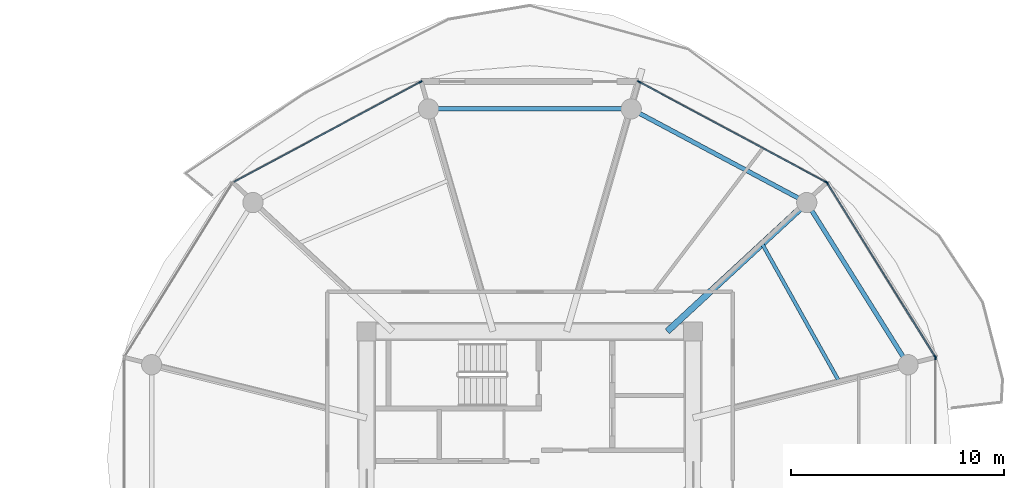
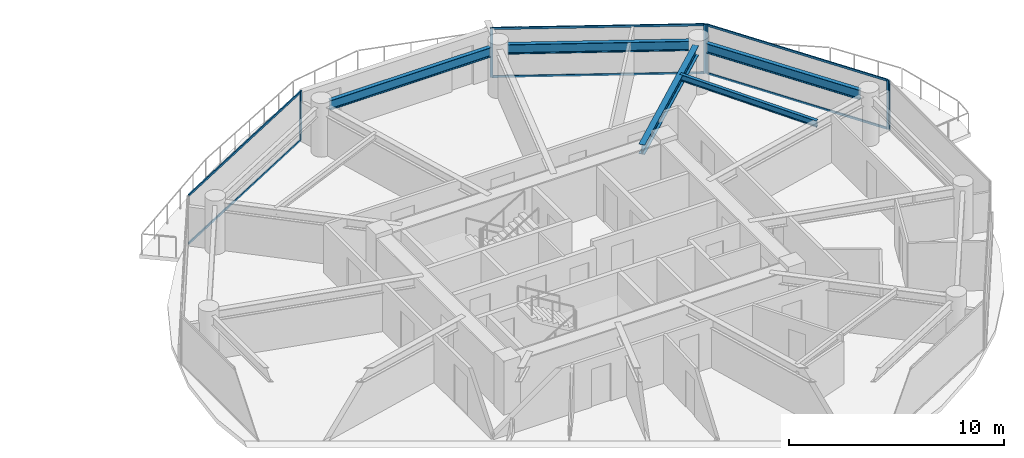
# One storey, part 13 of 26: 12 members, 5 beams, 4 elements without a shape of their own.
"""IFC4 building model written with IfcOpenShell, lengths in metres."""

from ifc_helpers import new_model, si_unit, direction, frame, origin, origin_2d, place, context, subcontext, project, spatial, rectangle, i_section, extrude, source, transform, mapped, material, layer, layer_set, material_profile, profile_set, type_object, type_shapes, element, aggregate, save


model = new_model("IFC4")

# Units and contexts
model_context = context("Model", 3, precision=1e-05, world=origin(), true_north=direction((0.0, 1.0)))
body_context = subcontext(model_context, "Body", "Model", "MODEL_VIEW")
ifc_project = project(units=[si_unit("LENGTHUNIT", "METRE"), si_unit("AREAUNIT", "SQUARE_METRE"), si_unit("VOLUMEUNIT", "CUBIC_METRE"), si_unit("PLANEANGLEUNIT", "RADIAN"), si_unit("MASSUNIT", "GRAM", prefix="KILO")], contexts=[model_context])

# Site, building, storey
site_placement = place(None, origin())
site = spatial("IfcSite", under=ifc_project, at=site_placement, CompositionType="ELEMENT")
building_placement = place(site_placement, origin())
building = spatial("IfcBuilding", under=site, at=building_placement, Name="Norrkilde Senior Care Towers", CompositionType="ELEMENT")
storey_placement = place(building_placement, frame((0.0, 0.0, 55.14990234375)))
storey = spatial("IfcBuildingStorey", under=building, at=storey_placement, Name="L16", CompositionType="ELEMENT", Elevation=55.14990234375)

# Beams
ifc_material_1 = material(Name="Steel S355", Category="steel")
ifc_material_profile_1 = material_profile(ifc_material_1, i_section(OverallWidth=0.2099609375, OverallDepth=0.550048828125, WebThickness=0.010986328125, FlangeThickness=0.01708984375, FilletRadius=0.02392578125, at=origin_2d()), Name="IPE 550")
ifc_profile_set_1 = profile_set([ifc_material_profile_1], Name="Steel S355")
beam_type_1 = type_object("IfcBeamType", Name="Perimeter Ring Spandrel Z1 IPE550", PredefinedType="SPANDREL", material=ifc_profile_set_1)
shared_shape_1 = source(origin(), body_context, "Body", "SweptSolid", [
    extrude(i_section(OverallWidth=0.2099609375, OverallDepth=0.550048828125, WebThickness=0.010986328125, FlangeThickness=0.01708984375, FilletRadius=0.02392578125, at=origin_2d()), origin(), (0.0, 0.0, 1.0), 8.090576171875),
])
beam_1_placement = place(storey_placement, frame((45.494140625, 4.755859375, 2.51513671875), z_axis=(-0.530004364821, 0.84799491347, 0.0), x_axis=(-0.84799491347, -0.530004364821, 0.0)))
element("IfcBeam", 1, at=beam_1_placement, inside=storey, type_object=beam_type_1, Name="L16 Drum E Perimeter Spandrel 01", PredefinedType="SPANDREL", context=body_context, shape_type="MappedRepresentation", body=[
    mapped(shared_shape_1, transform((0.0, 0.0, 0.0), x_axis=(1.0, 0.0, 0.0), y_axis=(0.0, 1.0, 0.0), z_axis=(0.0, 0.0, 1.0), scale=1.0)),
])
shared_shape_2 = source(origin(), body_context, "Body", "SweptSolid", [
    extrude(i_section(OverallWidth=0.2099609375, OverallDepth=0.550048828125, WebThickness=0.010986328125, FlangeThickness=0.01708984375, FilletRadius=0.02392578125, at=origin_2d()), origin(), (0.0, 0.0, 1.0), 8.452880859375),
])
beam_2_placement = place(storey_placement, frame((40.591552734375, 12.190185546875, 2.51513671875), z_axis=(-0.882368931134, 0.470558252898, 0.0), x_axis=(-0.470558252898, -0.882368931134, 0.0)))
element("IfcBeam", 2, at=beam_2_placement, inside=storey, type_object=beam_type_1, Name="L16 Drum E Perimeter Spandrel 02", PredefinedType="SPANDREL", context=body_context, shape_type="MappedRepresentation", body=[
    mapped(shared_shape_2, transform((0.0, 0.0, 0.0), x_axis=(1.0, 0.0, 0.0), y_axis=(0.0, 1.0, 0.0), z_axis=(0.0, 0.0, 1.0), scale=1.0)),
])
ifc_material_profile_2 = material_profile(ifc_material_1, i_section(OverallWidth=0.300048828125, OverallDepth=0.550048828125, WebThickness=0.014892578125, FlangeThickness=0.029052734375, FilletRadius=0.027099609375, at=origin_2d()), Name="HEB 550")
ifc_profile_set_2 = profile_set([ifc_material_profile_2], Name="Steel S355")
beam_type_2 = type_object("IfcBeamType", Name="Radial Floor Beam Z1 HEB550", PredefinedType="BEAM", material=ifc_profile_set_2)
shared_shape_3 = source(origin(), body_context, "Body", "SweptSolid", [
    extrude(i_section(OverallWidth=0.300048828125, OverallDepth=0.550048828125, WebThickness=0.014892578125, FlangeThickness=0.029052734375, FilletRadius=0.027099609375, at=origin_2d()), origin(), (0.0, 0.0, 1.0), 8.459716796875),
])
type_shapes(beam_type_2, [shared_shape_3])
beam_3_placement = place(storey_placement, frame((34.44140625, 5.949951171875, 2.51513671875), z_axis=(0.734573269108, 0.678529374686, 0.0), x_axis=(-0.678529374686, 0.734573269108, 0.0)))
element("IfcBeam", 3, at=beam_3_placement, inside=storey, type_object=beam_type_2, Name="L16 Drum E Radial Floor Beam 02", PredefinedType="BEAM", context=body_context, shape_type="MappedRepresentation", body=[
    mapped(shared_shape_3, transform((0.0, 0.0, 0.0), x_axis=(1.0, 0.0, 0.0), y_axis=(0.0, 1.0, 0.0), z_axis=(0.0, 0.0, 1.0), scale=1.0)),
])
shared_shape_4 = source(origin(), body_context, "Body", "SweptSolid", [
    extrude(i_section(OverallWidth=0.2099609375, OverallDepth=0.550048828125, WebThickness=0.010986328125, FlangeThickness=0.01708984375, FilletRadius=0.02392578125, at=origin_2d()), origin(), (0.0, 0.0, 1.0), 8.62841796875),
])
type_shapes(beam_type_1, [shared_shape_1, shared_shape_2, shared_shape_4])
beam_4_placement = place(storey_placement, frame((32.314208984375, 16.37255859375, 2.51513671875), z_axis=(-1.0, 0.0, 0.0), x_axis=(0.0, -1.0, 0.0)))
element("IfcBeam", 4, at=beam_4_placement, inside=storey, type_object=beam_type_1, Name="L16 Drum E Perimeter Spandrel 03", PredefinedType="SPANDREL", context=body_context, shape_type="MappedRepresentation", body=[
    mapped(shared_shape_4, transform((0.0, 0.0, 0.0), x_axis=(1.0, 0.0, 0.0), y_axis=(0.0, 1.0, 0.0), z_axis=(0.0, 0.0, 1.0), scale=1.0)),
])
ifc_material_profile_3 = material_profile(ifc_material_1, i_section(OverallWidth=0.169921875, OverallDepth=0.360107421875, WebThickness=0.008056640625, FlangeThickness=0.0126953125, FilletRadius=0.01806640625, at=origin_2d()), Name="IPE 360")
ifc_profile_set_3 = profile_set([ifc_material_profile_3], Name="Steel S355")
beam_type_3 = type_object("IfcBeamType", Name="Secondary Floor Joist IPE360", PredefinedType="JOIST", material=ifc_profile_set_3)
shared_shape_5 = source(origin(), body_context, "Body", "SweptSolid", [
    extrude(i_section(OverallWidth=0.169921875, OverallDepth=0.360107421875, WebThickness=0.008056640625, FlangeThickness=0.0126953125, FilletRadius=0.01806640625, at=origin_2d()), origin(), (0.0, 0.0, 1.0), 7.40771484375),
])
type_shapes(beam_type_3, [shared_shape_5])
beam_5_placement = place(storey_placement, frame((42.500732421875, 3.589111328125, 2.610107421875), z_axis=(-0.488167754092, 0.872749817453, 0.0), x_axis=(-0.872749817453, -0.488167754092, 0.0)))
element("IfcBeam", 5, at=beam_5_placement, inside=storey, type_object=beam_type_3, Name="L16 Drum E Secondary Floor Joist 1", PredefinedType="JOIST", context=body_context, shape_type="MappedRepresentation", body=[
    mapped(shared_shape_5, transform((0.0, 0.0, 0.0), x_axis=(1.0, 0.0, 0.0), y_axis=(0.0, 1.0, 0.0), z_axis=(0.0, 0.0, 1.0), scale=1.0)),
])

# Curtain wall, members
ifc_material_2 = material(Name="Triple Low-E Insulated Glazing", Category="glass")
ifc_layer = layer(ifc_material_2, 0.199951171875)
ifc_layer_set = layer_set([ifc_layer], Name="Triple Low-E Insulated Glazing")
curtain_wall_type = type_object("IfcCurtainWallType", Name="CW2 Zone 1 Memory Care Curtain Wall", PredefinedType="NOTDEFINED", material=ifc_layer_set)
curtain_wall_1_placement = place(storey_placement, origin())
curtain_wall_1 = element("IfcCurtainWall", 6, at=curtain_wall_1_placement, inside=storey, type_object=curtain_wall_type, Name="L16 Drum E Curtain Wall 00", PredefinedType="NOTDEFINED")
ifc_material_3 = material(Name="Anodised Aluminium", Category="aluminium")
ifc_material_profile_4 = material_profile(ifc_material_3, rectangle(XDim=0.06494140625, YDim=0.159912109375, at=origin_2d()), Name="ALU MULL 65x160")
ifc_profile_set_4 = profile_set([ifc_material_profile_4], Name="Anodised Aluminium")
member_type_1 = type_object("IfcMemberType", Name="Curtain Wall Mullion Z1-Z2 65x160", PredefinedType="MULLION", material=ifc_profile_set_4)
shared_shape_6 = source(origin(), body_context, "Body", "SweptSolid", [
    extrude(rectangle(XDim=0.06494140625, YDim=0.159912109375, at=origin_2d()), origin(), (0.0, 0.0, 1.0), 2.7900390625),
])
type_shapes(member_type_1, [shared_shape_6])
member_1_placement = place(storey_placement, frame((41.93310546875, 12.898193359375, 0.0), z_axis=(0.0, 0.0, 1.0), x_axis=(0.849305943117, 0.527900951871, 0.0)))
member_1 = element("IfcMember", 7, at=member_1_placement, type_object=member_type_1, Name="CW-2 mullion 1", PredefinedType="MULLION", context=body_context, shape_type="MappedRepresentation", body=[
    mapped(shared_shape_6, transform((0.0, 0.0, 0.0), x_axis=(1.0, 0.0, 0.0), y_axis=(0.0, 1.0, 0.0), z_axis=(0.0, 0.0, 1.0), scale=1.0)),
])
member_2_placement = place(storey_placement, frame((46.9921875, 4.7587890625, 0.0), z_axis=(0.0, 0.0, 1.0), x_axis=(0.849305943117, 0.527900951871, 0.0)))
member_2 = element("IfcMember", 8, at=member_2_placement, type_object=member_type_1, Name="CW-2 mullion 2", PredefinedType="MULLION", context=body_context, shape_type="MappedRepresentation", body=[
    mapped(shared_shape_6, transform((0.0, 0.0, 0.0), x_axis=(1.0, 0.0, 0.0), y_axis=(0.0, 1.0, 0.0), z_axis=(0.0, 0.0, 1.0), scale=1.0)),
])

curtain_wall_2_placement = place(storey_placement, origin())
curtain_wall_2 = element("IfcCurtainWall", 9, at=curtain_wall_2_placement, inside=storey, type_object=curtain_wall_type, Name="L16 Drum E Curtain Wall 01", PredefinedType="NOTDEFINED")
member_3_placement = place(storey_placement, frame((33.122314453125, 17.641845703125, 0.0), z_axis=(0.0, 0.0, 1.0), x_axis=(0.472607802456, 0.881272866403, 0.0)))
member_3 = element("IfcMember", 10, at=member_3_placement, type_object=member_type_1, Name="CW-2 mullion 1", PredefinedType="MULLION", context=body_context, shape_type="MappedRepresentation", body=[
    mapped(shared_shape_6, transform((0.0, 0.0, 0.0), x_axis=(1.0, 0.0, 0.0), y_axis=(0.0, 1.0, 0.0), z_axis=(0.0, 0.0, 1.0), scale=1.0)),
])
member_4_placement = place(storey_placement, frame((41.88720703125, 12.941162109375, 0.0), z_axis=(0.0, 0.0, 1.0), x_axis=(0.472607802456, 0.881272866403, 0.0)))
member_4 = element("IfcMember", 11, at=member_4_placement, type_object=member_type_1, Name="CW-2 mullion 2", PredefinedType="MULLION", context=body_context, shape_type="MappedRepresentation", body=[
    mapped(shared_shape_6, transform((0.0, 0.0, 0.0), x_axis=(1.0, 0.0, 0.0), y_axis=(0.0, 1.0, 0.0), z_axis=(0.0, 0.0, 1.0), scale=1.0)),
])

# Curtain wall, member
curtain_wall_3_placement = place(storey_placement, origin())
curtain_wall_3 = element("IfcCurtainWall", 12, at=curtain_wall_3_placement, inside=storey, type_object=curtain_wall_type, Name="L16 Drum E Curtain Wall 03", PredefinedType="NOTDEFINED")
member_5_placement = place(storey_placement, frame((22.877685546875, 17.641845703125, 0.0), z_axis=(0.0, 0.0, 1.0), x_axis=(-0.472607802456, 0.881272866403, 0.0)))
member_5 = element("IfcMember", 13, at=member_5_placement, type_object=member_type_1, Name="CW-2 mullion 2", PredefinedType="MULLION", context=body_context, shape_type="MappedRepresentation", body=[
    mapped(shared_shape_6, transform((0.0, 0.0, 0.0), x_axis=(1.0, 0.0, 0.0), y_axis=(0.0, 1.0, 0.0), z_axis=(0.0, 0.0, 1.0), scale=1.0)),
])

curtain_wall_4_placement = place(storey_placement, origin())
curtain_wall_4 = element("IfcCurtainWall", 14, at=curtain_wall_4_placement, inside=storey, type_object=curtain_wall_type, Name="L16 Drum E Curtain Wall 11", PredefinedType="NOTDEFINED")
member_6_placement = place(storey_placement, frame((47.009521484375, 4.69873046875, 0.0), z_axis=(0.0, 0.0, 1.0), x_axis=(1.0, 0.0, 0.0)))
member_6 = element("IfcMember", 15, at=member_6_placement, type_object=member_type_1, Name="CW-2 mullion 1", PredefinedType="MULLION", context=body_context, shape_type="MappedRepresentation", body=[
    mapped(shared_shape_6, transform((0.0, 0.0, 0.0), x_axis=(1.0, 0.0, 0.0), y_axis=(0.0, 1.0, 0.0), z_axis=(0.0, 0.0, 1.0), scale=1.0)),
])
aggregate(curtain_wall_4, [member_6])

# Member
ifc_material_profile_5 = material_profile(ifc_material_3, rectangle(XDim=0.06005859375, YDim=0.1201171875, at=origin_2d()), Name="ALU TRAN 60x120")
ifc_profile_set_5 = profile_set([ifc_material_profile_5], Name="Anodised Aluminium")
member_type_2 = type_object("IfcMemberType", Name="Curtain Wall Transom Typical 60x120", PredefinedType="USERDEFINED", material=ifc_profile_set_5)
shared_shape_7 = source(origin(), body_context, "Body", "SweptSolid", [
    extrude(rectangle(XDim=0.06005859375, YDim=0.1201171875, at=origin_2d()), origin(), (0.0, 0.0, 1.0), 9.5185546875),
])
member_7_placement = place(storey_placement, frame((41.9501953125, 12.87060546875, 0.030029296875), z_axis=(0.527901620669, -0.849305527413, 0.0), x_axis=(0.849305527413, 0.527901620669, 0.0)))
member_7 = element("IfcMember", 16, at=member_7_placement, type_object=member_type_2, Name="CW-2 transom 1.1", ObjectType="TRANSOM", PredefinedType="USERDEFINED", context=body_context, shape_type="MappedRepresentation", body=[
    mapped(shared_shape_7, transform((0.0, 0.0, 0.0), x_axis=(1.0, 0.0, 0.0), y_axis=(0.0, 1.0, 0.0), z_axis=(0.0, 0.0, 1.0), scale=1.0)),
])

member_8_placement = place(storey_placement, frame((41.9501953125, 12.87060546875, 2.760009765625), z_axis=(0.527901620669, -0.849305527413, 0.0), x_axis=(0.849305527413, 0.527901620669, 0.0)))
member_8 = element("IfcMember", 17, at=member_8_placement, type_object=member_type_2, Name="CW-2 transom 1.2", ObjectType="TRANSOM", PredefinedType="USERDEFINED", context=body_context, shape_type="MappedRepresentation", body=[
    mapped(shared_shape_7, transform((0.0, 0.0, 0.0), x_axis=(1.0, 0.0, 0.0), y_axis=(0.0, 1.0, 0.0), z_axis=(0.0, 0.0, 1.0), scale=1.0)),
])

aggregate(curtain_wall_1, [member_1, member_2, member_7, member_8])

shared_shape_8 = source(origin(), body_context, "Body", "SweptSolid", [
    extrude(rectangle(XDim=0.06005859375, YDim=0.1201171875, at=origin_2d()), origin(), (0.0, 0.0, 1.0), 9.880859375),
])
type_shapes(member_type_2, [shared_shape_7, shared_shape_8])
member_9_placement = place(storey_placement, frame((33.15087890625, 17.62646484375, 0.030029296875), z_axis=(0.881267204043, -0.47261836092, 0.0), x_axis=(0.47261836092, 0.881267204043, 0.0)))
member_9 = element("IfcMember", 18, at=member_9_placement, type_object=member_type_2, Name="CW-2 transom 1.1", ObjectType="TRANSOM", PredefinedType="USERDEFINED", context=body_context, shape_type="MappedRepresentation", body=[
    mapped(shared_shape_8, transform((0.0, 0.0, 0.0), x_axis=(1.0, 0.0, 0.0), y_axis=(0.0, 1.0, 0.0), z_axis=(0.0, 0.0, 1.0), scale=1.0)),
])

member_10_placement = place(storey_placement, frame((33.15087890625, 17.62646484375, 2.760009765625), z_axis=(0.881267204043, -0.47261836092, 0.0), x_axis=(0.47261836092, 0.881267204043, 0.0)))
member_10 = element("IfcMember", 19, at=member_10_placement, type_object=member_type_2, Name="CW-2 transom 1.2", ObjectType="TRANSOM", PredefinedType="USERDEFINED", context=body_context, shape_type="MappedRepresentation", body=[
    mapped(shared_shape_8, transform((0.0, 0.0, 0.0), x_axis=(1.0, 0.0, 0.0), y_axis=(0.0, 1.0, 0.0), z_axis=(0.0, 0.0, 1.0), scale=1.0)),
])

aggregate(curtain_wall_2, [member_3, member_4, member_9, member_10])

member_11_placement = place(storey_placement, frame((14.141357421875, 12.95654296875, 0.030029296875), z_axis=(0.881267204043, 0.47261836092, 0.0), x_axis=(-0.47261836092, 0.881267204043, 0.0)))
member_11 = element("IfcMember", 20, at=member_11_placement, type_object=member_type_2, Name="CW-2 transom 1.1", ObjectType="TRANSOM", PredefinedType="USERDEFINED", context=body_context, shape_type="MappedRepresentation", body=[
    mapped(shared_shape_8, transform((0.0, 0.0, 0.0), x_axis=(1.0, 0.0, 0.0), y_axis=(0.0, 1.0, 0.0), z_axis=(0.0, 0.0, 1.0), scale=1.0)),
])

member_12_placement = place(storey_placement, frame((14.141357421875, 12.95654296875, 2.760009765625), z_axis=(0.881267204043, 0.47261836092, 0.0), x_axis=(-0.47261836092, 0.881267204043, 0.0)))
member_12 = element("IfcMember", 21, at=member_12_placement, type_object=member_type_2, Name="CW-2 transom 1.2", ObjectType="TRANSOM", PredefinedType="USERDEFINED", context=body_context, shape_type="MappedRepresentation", body=[
    mapped(shared_shape_8, transform((0.0, 0.0, 0.0), x_axis=(1.0, 0.0, 0.0), y_axis=(0.0, 1.0, 0.0), z_axis=(0.0, 0.0, 1.0), scale=1.0)),
])

aggregate(curtain_wall_3, [member_5, member_11, member_12])

save(model, "model.ifc")
